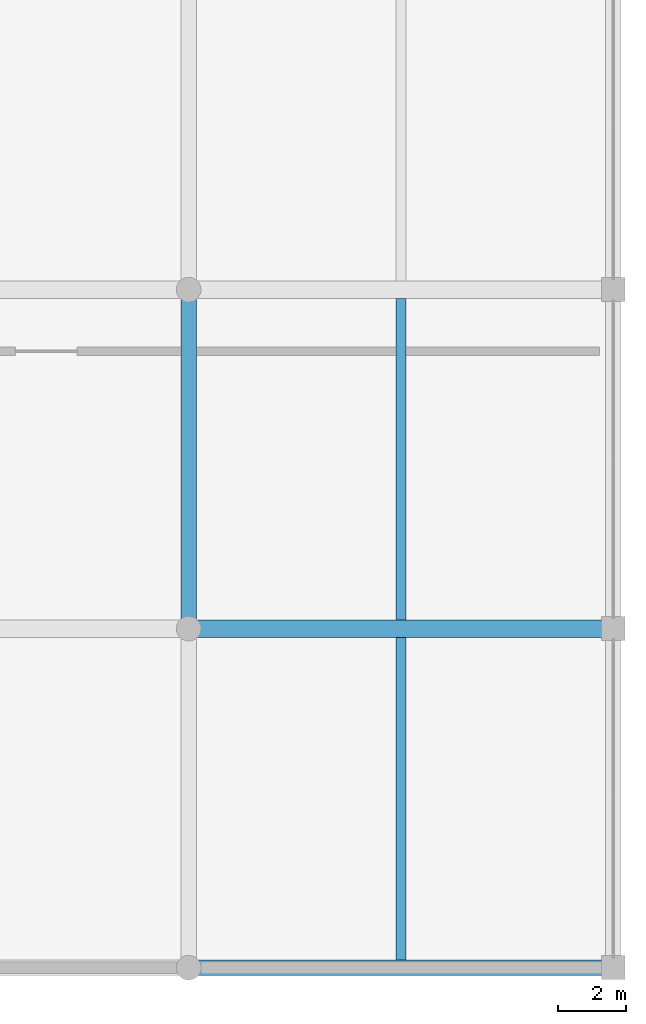
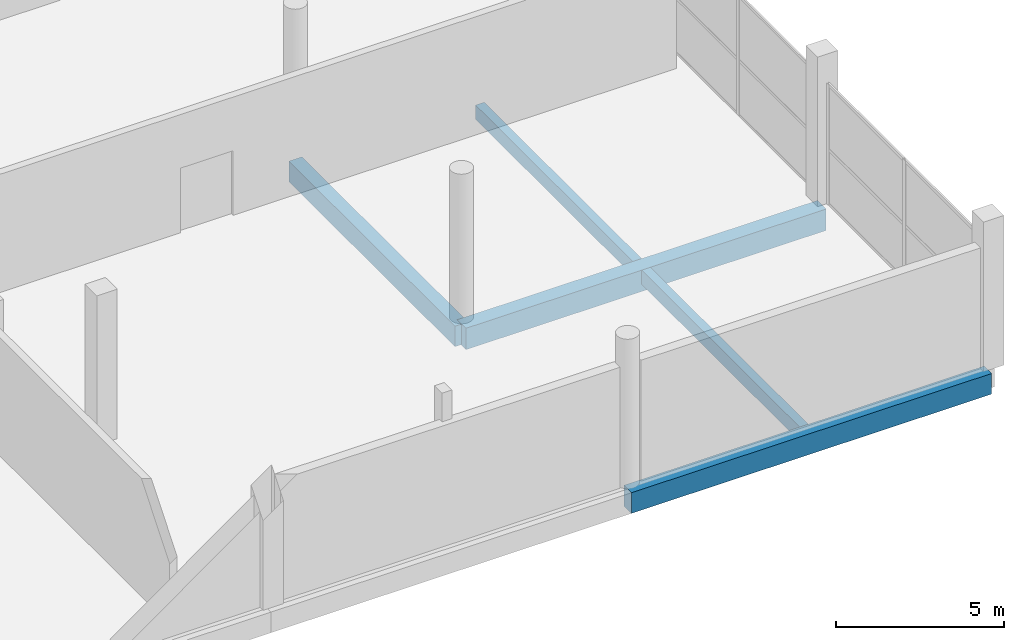
# One storey, part 34 of 74: 5 beams.
"""IFC4 building model written with IfcOpenShell, lengths in metres."""

from ifc_helpers import new_model, si_unit, direction, frame, origin, origin_2d, place, context, subcontext, project, spatial, rectangle, extrude, material, material_profile, profile_set, type_object, element, save


model = new_model("IFC4")

# Units and contexts
model_context = context("Model", 3, precision=1e-05, world=origin(), true_north=direction((0.0, 1.0)))
body_context = subcontext(model_context, "Body", "Model", "MODEL_VIEW")
ifc_project = project(units=[si_unit("LENGTHUNIT", "METRE"), si_unit("AREAUNIT", "SQUARE_METRE"), si_unit("VOLUMEUNIT", "CUBIC_METRE"), si_unit("PLANEANGLEUNIT", "RADIAN"), si_unit("MASSUNIT", "GRAM", prefix="KILO")], contexts=[model_context])

# Site, building, storey
site_placement = place(None, origin())
site = spatial("IfcSite", under=ifc_project, at=site_placement, CompositionType="ELEMENT")
building_placement = place(site_placement, origin())
building = spatial("IfcBuilding", under=site, at=building_placement, Name="Sillaruma Civic Art Gallery", CompositionType="ELEMENT")
storey_placement = place(building_placement, frame((0.0, 0.0, 5.43994140625)))
storey = spatial("IfcBuildingStorey", under=building, at=storey_placement, Name="L01", CompositionType="ELEMENT", Elevation=5.43994140625)

# Beams
ifc_material_1 = material(Name="Concrete H40 (40 MPa)", Category="concrete")
ifc_material_profile_1 = material_profile(ifc_material_1, rectangle(XDim=0.449951171875, YDim=0.75, at=origin_2d()), Name="RCB450x750")
ifc_profile_set_1 = profile_set([ifc_material_profile_1], Name="Concrete H40 (40 MPa)")
beam_type_1 = type_object("IfcBeamType", Name="BM-BEAM-RCB450x750", PredefinedType="BEAM", material=ifc_profile_set_1)
beam_1_placement = place(storey_placement, frame((164.0, 9.89990234375, -0.635009765625), z_axis=(0.0, 1.0, 0.0), x_axis=(-1.0, 0.0, 0.0)))
element("IfcBeam", 1, at=beam_1_placement, inside=storey, type_object=beam_type_1, Name="Beam BM-03 (L00:S:2-3)", PredefinedType="BEAM", context=body_context, shape_type="SweptSolid", body=[
    extrude(rectangle(XDim=0.449951171875, YDim=0.75, at=origin_2d()), origin(), (0.0, 0.0, 1.0), 9.900146484375),
])
ifc_material_2 = material(Name="Concrete H35 (35 MPa)", Category="concrete")
ifc_material_profile_2 = material_profile(ifc_material_2, rectangle(XDim=0.300048828125, YDim=0.52001953125, at=origin_2d()), Name="RCB300x520")
ifc_profile_set_2 = profile_set([ifc_material_profile_2], Name="Concrete H35 (35 MPa)")
beam_type_2 = type_object("IfcBeamType", Name="BM-JOIST-RCB300x520", PredefinedType="JOIST", material=ifc_profile_set_2)
beam_2_placement = place(storey_placement, frame((170.199951171875, 0.22509765625, -0.52001953125), z_axis=(0.0, 1.0, 0.0), x_axis=(-1.0, 0.0, 0.0)))
element("IfcBeam", 2, at=beam_2_placement, inside=storey, type_object=beam_type_2, Name="Floor Joist JR-01 (L00:ST:1-2)", PredefinedType="JOIST", context=body_context, shape_type="SweptSolid", body=[
    extrude(rectangle(XDim=0.300048828125, YDim=0.52001953125, at=origin_2d()), origin(), (0.0, 0.0, 1.0), 9.414794921875),
])
beam_3_placement = place(storey_placement, frame((170.199951171875, 10.159912109375, -0.52001953125), z_axis=(0.0, 1.0, 0.0), x_axis=(-1.0, 0.0, 0.0)))
element("IfcBeam", 3, at=beam_3_placement, inside=storey, type_object=beam_type_2, Name="Floor Joist JR-01 (L00:ST:2-3)", PredefinedType="JOIST", context=body_context, shape_type="SweptSolid", body=[
    extrude(rectangle(XDim=0.300048828125, YDim=0.52001953125, at=origin_2d()), origin(), (0.0, 0.0, 1.0), 9.380126953125),
])
ifc_material_profile_3 = material_profile(ifc_material_1, rectangle(XDim=0.449951171875, YDim=0.75, at=origin_2d()), Name="RCB450x750")
ifc_profile_set_3 = profile_set([ifc_material_profile_3], Name="Concrete H40 (40 MPa)")
beam_type_3 = type_object("IfcBeamType", Name="BM-SPANDREL-RCB450x750", PredefinedType="SPANDREL", material=ifc_profile_set_3)
beam_4_placement = place(storey_placement, frame((164.0, 0.0, -0.635009765625), z_axis=(1.0, 0.0, 0.0), x_axis=(0.0, 1.0, 0.0)))
element("IfcBeam", 4, at=beam_4_placement, inside=storey, type_object=beam_type_3, Name="Beam BS-01 (L00:1:S-T)", PredefinedType="SPANDREL", context=body_context, shape_type="SweptSolid", body=[
    extrude(rectangle(XDim=0.449951171875, YDim=0.75, at=origin_2d()), origin(), (0.0, 0.0, 1.0), 12.39990234375),
])
ifc_material_profile_4 = material_profile(ifc_material_1, rectangle(XDim=0.52001953125, YDim=0.780029296875, at=origin_2d()), Name="RCT520x780")
ifc_profile_set_4 = profile_set([ifc_material_profile_4], Name="Concrete H40 (40 MPa)")
beam_type_4 = type_object("IfcBeamType", Name="BM-T_BEAM-RCT520x780", PredefinedType="T_BEAM", material=ifc_profile_set_4)
beam_5_placement = place(storey_placement, frame((164.0, 9.89990234375, -0.64990234375), z_axis=(1.0, 0.0, 0.0), x_axis=(0.0, 1.0, 0.0)))
element("IfcBeam", 5, at=beam_5_placement, inside=storey, type_object=beam_type_4, Name="Beam BT-01 (L00:2:S-T)", PredefinedType="T_BEAM", context=body_context, shape_type="SweptSolid", body=[
    extrude(rectangle(XDim=0.52001953125, YDim=0.780029296875, at=origin_2d()), origin(), (0.0, 0.0, 1.0), 12.39990234375),
])

save(model, "model.ifc")
